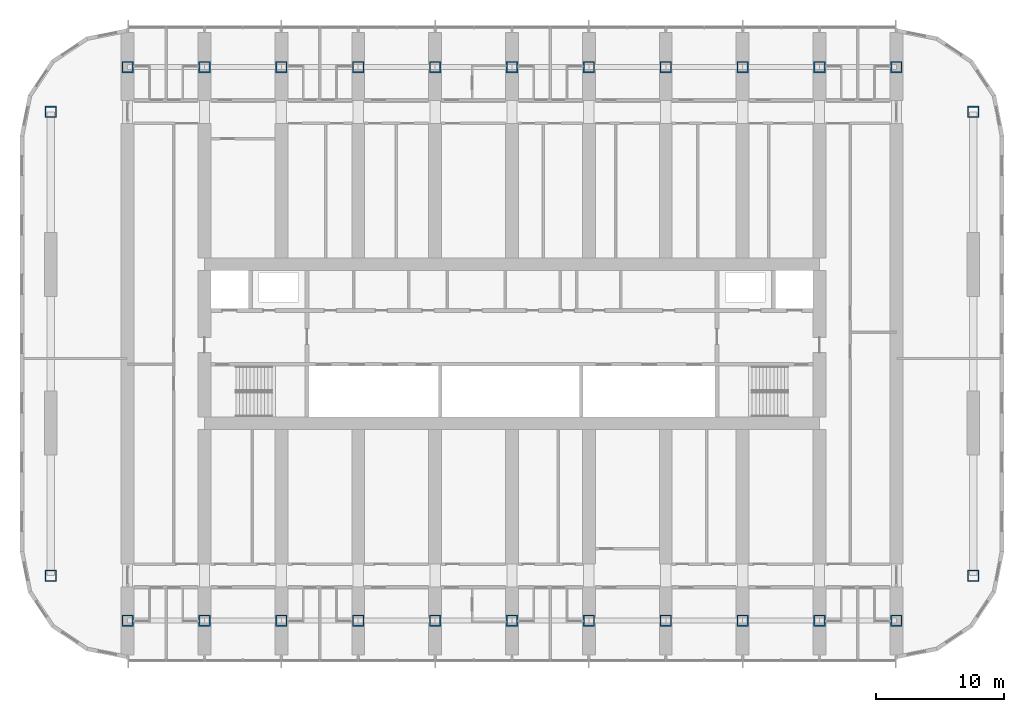
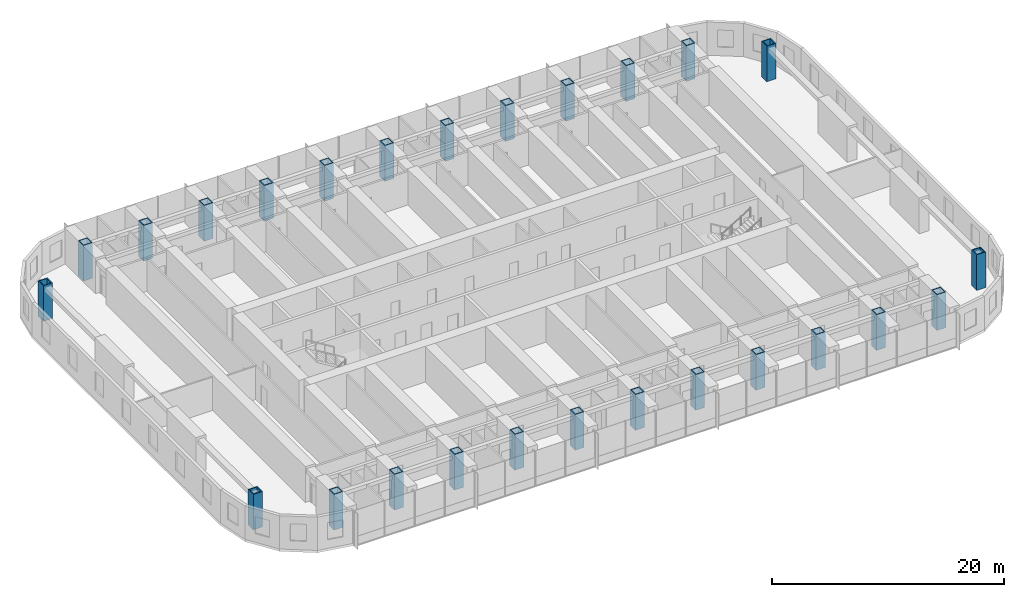
# One storey, part 1 of 23: 26 columns.
"""IFC4 building model written with IfcOpenShell, lengths in metres."""

from ifc_helpers import new_model, si_unit, direction, frame, origin, origin_2d, place, context, subcontext, project, spatial, hollow_rectangle, extrude, material, material_profile, profile_set, type_object, element, save


model = new_model("IFC4")

# Units and contexts
model_context = context("Model", 3, precision=1e-05, world=origin(), true_north=direction((0.0, 1.0)))
body_context = subcontext(model_context, "Body", "Model", "MODEL_VIEW")
ifc_project = project(units=[si_unit("LENGTHUNIT", "METRE"), si_unit("AREAUNIT", "SQUARE_METRE"), si_unit("VOLUMEUNIT", "CUBIC_METRE"), si_unit("PLANEANGLEUNIT", "RADIAN"), si_unit("MASSUNIT", "GRAM", prefix="KILO")], contexts=[model_context])

# Site, building, storey
site_placement = place(None, origin())
site = spatial("IfcSite", under=ifc_project, at=site_placement, CompositionType="ELEMENT")
building_placement = place(site_placement, origin())
building = spatial("IfcBuilding", under=site, at=building_placement, Name="Orbita Commons", CompositionType="ELEMENT")
storey_placement = place(building_placement, frame((0.0, 0.0, 61.449951171875)))
storey = spatial("IfcBuildingStorey", under=building, at=storey_placement, Name="L15", CompositionType="ELEMENT", Elevation=61.449951171875)

# Columns
ifc_material = material(Name="Steel ASTM A572 Gr 50 welded plate", Category="steel")
ifc_material_profile = material_profile(ifc_material, hollow_rectangle(XDim=0.89990234375, YDim=0.89990234375, WallThickness=0.090087890625, at=origin_2d()), Name="BOX 900x900x90")
ifc_profile_set = profile_set([ifc_material_profile], Name="Steel ASTM A572 Gr 50 welded plate")
column_type = type_object("IfcColumnType", Name="Steel column BOX 900x900x90", PredefinedType="COLUMN", material=ifc_profile_set)
for number, where, z_axis, x_axis, name in (
    (1, (12.0, 10.39990234375, 0.0), (0.0, 0.0, 1.0), (1.0, 0.0, 0.0), "Column 3/B L15"),
    (2, (12.0, 53.60009765625, 0.0), (0.0, 0.0, 1.0), (1.0, 0.0, 0.0), "Column 3/E L15"),
    (3, (18.0, 10.39990234375, 0.0), (0.0, 0.0, 1.0), (1.0, 0.0, 0.0), "Column 4/B L15"),
    (4, (18.0, 53.60009765625, 0.0), (0.0, 0.0, 1.0), (1.0, 0.0, 0.0), "Column 4/E L15"),
    (5, (24.0, 10.39990234375, 0.0), (0.0, 0.0, 1.0), (1.0, 0.0, 0.0), "Column 5/B L15"),
    (6, (24.0, 53.60009765625, 0.0), (0.0, 0.0, 1.0), (1.0, 0.0, 0.0), "Column 5/E L15"),
    (7, (30.0, 10.39990234375, 0.0), (0.0, 0.0, 1.0), (1.0, 0.0, 0.0), "Column 6/B L15"),
    (8, (30.0, 53.60009765625, 0.0), (0.0, 0.0, 1.0), (1.0, 0.0, 0.0), "Column 6/E L15"),
    (9, (36.0, 10.39990234375, 0.0), (0.0, 0.0, 1.0), (1.0, 0.0, 0.0), "Column 7/B L15"),
    (10, (36.0, 53.60009765625, 0.0), (0.0, 0.0, 1.0), (1.0, 0.0, 0.0), "Column 7/E L15"),
    (11, (42.0, 10.39990234375, 0.0), (0.0, 0.0, 1.0), (1.0, 0.0, 0.0), "Column 8/B L15"),
    (12, (42.0, 53.60009765625, 0.0), (0.0, 0.0, 1.0), (1.0, 0.0, 0.0), "Column 8/E L15"),
    (13, (48.0, 10.39990234375, 0.0), (0.0, 0.0, 1.0), (1.0, 0.0, 0.0), "Column 9/B L15"),
    (14, (48.0, 53.60009765625, 0.0), (0.0, 0.0, 1.0), (1.0, 0.0, 0.0), "Column 9/E L15"),
    (15, (54.0, 10.39990234375, 0.0), (0.0, 0.0, 1.0), (1.0, 0.0, 0.0), "Column 10/B L15"),
    (16, (54.0, 53.60009765625, 0.0), (0.0, 0.0, 1.0), (1.0, 0.0, 0.0), "Column 10/E L15"),
    (17, (60.0, 10.39990234375, 0.0), (0.0, 0.0, 1.0), (1.0, 0.0, 0.0), "Column 11/B L15"),
    (18, (60.0, 53.60009765625, 0.0), (0.0, 0.0, 1.0), (1.0, 0.0, 0.0), "Column 11/E L15"),
    (19, (66.0, 10.39990234375, 0.0), (0.0, 0.0, 1.0), (1.0, 0.0, 0.0), "Column 12/B L15"),
    (20, (66.0, 53.60009765625, 0.0), (0.0, 0.0, 1.0), (1.0, 0.0, 0.0), "Column 12/E L15"),
    (21, (72.0, 10.39990234375, 0.0), (0.0, 0.0, 1.0), (1.0, 0.0, 0.0), "Column 13/B L15"),
    (22, (72.0, 53.60009765625, 0.0), (0.0, 0.0, 1.0), (1.0, 0.0, 0.0), "Column 13/E L15"),
    (23, (6.0, 13.89990234375, 0.0), (0.0, 0.0, 1.0), (1.0, 0.0, 0.0), "Column 2/13.9 L15"),
    (24, (6.0, 50.10009765625, 0.0), (0.0, 0.0, 1.0), (1.0, 0.0, 0.0), "Column 2/50.1 L15"),
    (25, (78.0, 13.89990234375, 0.0), (0.0, 0.0, 1.0), (1.0, 0.0, 0.0), "Column 14/13.9 L15"),
    (26, (78.0, 50.10009765625, 0.0), (0.0, 0.0, 1.0), (1.0, 0.0, 0.0), "Column 14/50.1 L15"),
):
    element("IfcColumn", number, at=place(storey_placement, frame(where, z_axis=z_axis, x_axis=x_axis)), inside=storey, type_object=column_type, Name=name, PredefinedType="COLUMN", context=body_context, shape_type="SweptSolid", body=[
        extrude(hollow_rectangle(XDim=0.89990234375, YDim=0.89990234375, WallThickness=0.090087890625, at=origin_2d()), origin(), (0.0, 0.0, 1.0), 3.75),
    ])

save(model, "model.ifc")
